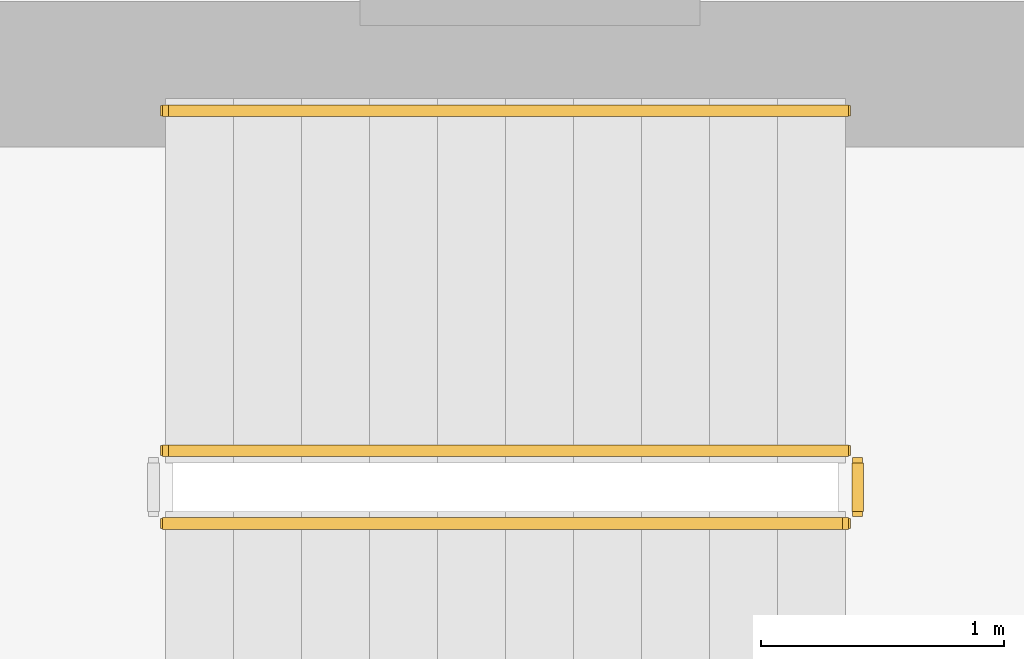
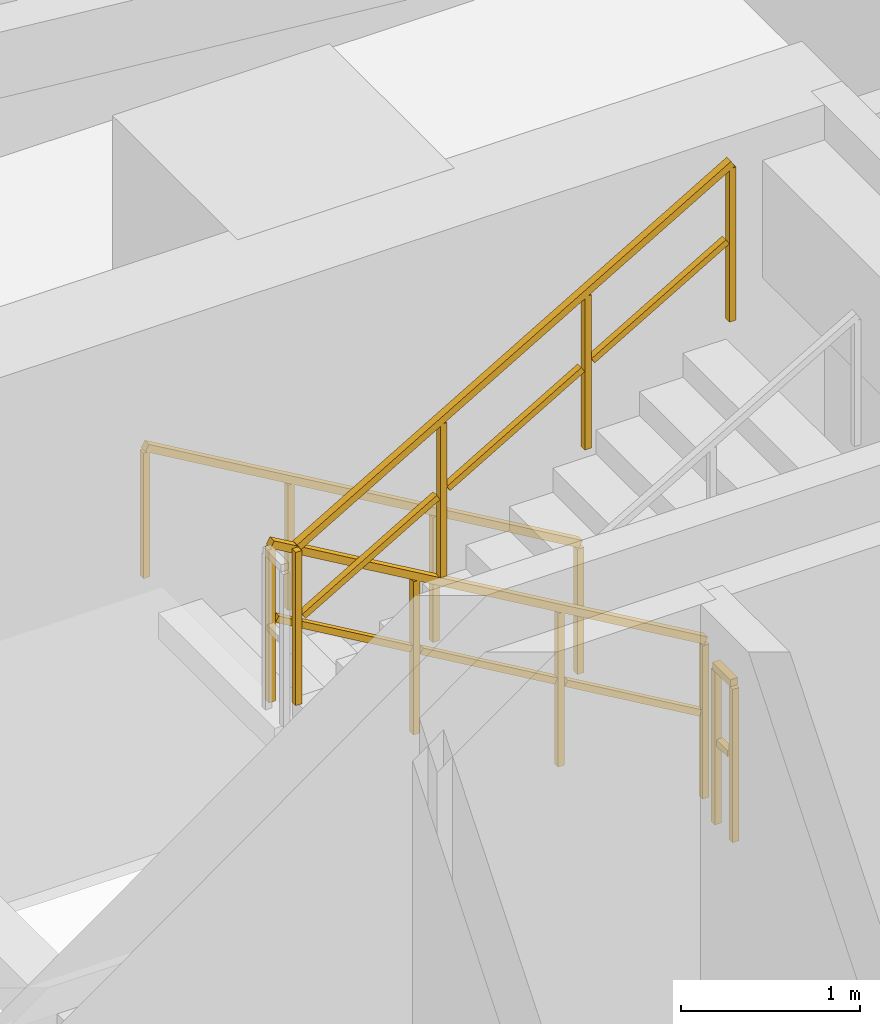
# One storey, part 33 of 35: 4 railings.
"""IFC4 building model written with IfcOpenShell, lengths in metres."""

from ifc_helpers import new_model, si_unit, direction, frame, origin, origin_2d, place, context, subcontext, project, spatial, rectangle, extrude, material, type_object, element, save


model = new_model("IFC4")

# Units and contexts
model_context = context("Model", 3, precision=1e-05, world=origin(), true_north=direction((0.0, 1.0)))
body_context = subcontext(model_context, "Body", "Model", "MODEL_VIEW")
ifc_project = project(units=[si_unit("LENGTHUNIT", "METRE"), si_unit("AREAUNIT", "SQUARE_METRE"), si_unit("VOLUMEUNIT", "CUBIC_METRE"), si_unit("PLANEANGLEUNIT", "RADIAN"), si_unit("MASSUNIT", "GRAM", prefix="KILO")], contexts=[model_context])

# Site, building, storey
site_placement = place(None, origin())
site = spatial("IfcSite", under=ifc_project, at=site_placement, CompositionType="ELEMENT")
building_placement = place(site_placement, origin())
building = spatial("IfcBuilding", under=site, at=building_placement, Name="Thornwick Lancets Civic Towers", CompositionType="ELEMENT")
storey_placement = place(building_placement, frame((0.0, 0.0, 64.5)))
storey = spatial("IfcBuildingStorey", under=building, at=storey_placement, Name="L16", CompositionType="ELEMENT", Elevation=64.5)

# Railings
ifc_material_1 = material(Name="Brushed stainless steel S355", Category="steel")
railing_type_1 = type_object("IfcRailingType", Name="RAIL_HANDRAIL", PredefinedType="HANDRAIL", material=ifc_material_1)
railing_1_placement = place(storey_placement, frame((31.60009765625, 38.949951171875, 0.16357421875)))
element("IfcRailing", 1, at=railing_1_placement, inside=storey, type_object=railing_type_1, Name="L16 ST-A2 stair handrail 1", PredefinedType="HANDRAIL", context=body_context, shape_type="SweptSolid", body=[
    extrude(rectangle(XDim=0.048095703125, YDim=0.048095703125, at=origin_2d()), frame((0.0, 0.0, 0.8857421875), z_axis=(-0.863360870873, 0.0, 0.504586966384), x_axis=(0.0, -1.0, 0.0)), (0.0, 0.0, 1.0), 3.2431640625),
    extrude(rectangle(XDim=0.0419921875, YDim=0.0419921875, at=origin_2d()), origin(), (0.0, 0.0, 1.0), 0.855712890625),
    extrude(rectangle(XDim=0.0419921875, YDim=0.0419921875, at=origin_2d()), frame((-0.933349609375, 0.0, 0.54541015625)), (0.0, 0.0, 1.0), 0.855712890625),
    extrude(rectangle(XDim=0.0419921875, YDim=0.0419921875, at=origin_2d()), frame((-1.86669921875, 0.0, 1.091064453125)), (0.0, 0.0, 1.0), 0.855712890625),
    extrude(rectangle(XDim=0.0419921875, YDim=0.0419921875, at=origin_2d()), frame((-2.800048828125, 0.0, 1.636474609375)), (0.0, 0.0, 1.0), 0.855712890625),
])
ifc_material_2 = material(Name="Steel S355JR", Category="steel")
railing_type_2 = type_object("IfcRailingType", Name="RAIL_STAIR_GUARD", PredefinedType="GUARDRAIL", material=ifc_material_2)
railing_2_placement = place(storey_placement, frame((31.60009765625, 37.550048828125, 0.16357421875)))
element("IfcRailing", 2, at=railing_2_placement, inside=storey, type_object=railing_type_2, Name="L16 ST-A2 stair guard 1", PredefinedType="GUARDRAIL", context=body_context, shape_type="SweptSolid", body=[
    extrude(rectangle(XDim=0.048095703125, YDim=0.048095703125, at=origin_2d()), frame((0.0, 0.0, 1.076171875), z_axis=(-0.863360870873, 0.0, 0.504586966384), x_axis=(0.0, -1.0, 0.0)), (0.0, 0.0, 1.0), 3.2431640625),
    extrude(rectangle(XDim=0.0419921875, YDim=0.0419921875, at=origin_2d()), frame((-0.032470703125, 0.0, 0.591064453125), z_axis=(-0.863360870873, 0.0, 0.504586966384), x_axis=(0.0, -1.0, 0.0)), (0.0, 0.0, 1.0), 1.006103515625),
    extrude(rectangle(XDim=0.0419921875, YDim=0.0419921875, at=origin_2d()), frame((-0.9658203125, 0.0, 1.136474609375), z_axis=(-0.863360870873, 0.0, 0.504586966384), x_axis=(0.0, -1.0, 0.0)), (0.0, 0.0, 1.0), 1.006103515625),
    extrude(rectangle(XDim=0.0419921875, YDim=0.0419921875, at=origin_2d()), frame((-1.899169921875, 0.0, 1.681884765625), z_axis=(-0.863360870873, 0.0, 0.504586966384), x_axis=(0.0, -1.0, 0.0)), (0.0, 0.0, 1.0), 1.006103515625),
    extrude(rectangle(XDim=0.0419921875, YDim=0.0419921875, at=origin_2d()), origin(), (0.0, 0.0, 1.0), 1.0458984375),
    extrude(rectangle(XDim=0.0419921875, YDim=0.0419921875, at=origin_2d()), frame((-0.933349609375, 0.0, 0.54541015625)), (0.0, 0.0, 1.0), 1.0458984375),
    extrude(rectangle(XDim=0.0419921875, YDim=0.0419921875, at=origin_2d()), frame((-1.86669921875, 0.0, 1.091064453125)), (0.0, 0.0, 1.0), 1.0458984375),
    extrude(rectangle(XDim=0.0419921875, YDim=0.0419921875, at=origin_2d()), frame((-2.800048828125, 0.0, 1.636474609375)), (0.0, 0.0, 1.0), 1.0458984375),
])
railing_3_placement = place(storey_placement, frame((28.800048828125, 37.25, 1.963623046875)))
element("IfcRailing", 3, at=railing_3_placement, inside=storey, type_object=railing_type_2, Name="L16 ST-A2 stair guard 3", PredefinedType="GUARDRAIL", context=body_context, shape_type="SweptSolid", body=[
    extrude(rectangle(XDim=0.048095703125, YDim=0.048095703125, at=origin_2d()), frame((0.0, 0.0, 1.076171875), z_axis=(0.863360870873, 0.0, 0.504586966384), x_axis=(0.0, 1.0, 0.0)), (0.0, 0.0, 1.0), 3.2431640625),
    extrude(rectangle(XDim=0.0419921875, YDim=0.0419921875, at=origin_2d()), frame((0.032470703125, 0.0, 0.591064453125), z_axis=(0.863360870873, 0.0, 0.504586966384), x_axis=(0.0, 1.0, 0.0)), (0.0, 0.0, 1.0), 1.006103515625),
    extrude(rectangle(XDim=0.0419921875, YDim=0.0419921875, at=origin_2d()), frame((0.9658203125, 0.0, 1.136474609375), z_axis=(0.863360870873, 0.0, 0.504586966384), x_axis=(0.0, 1.0, 0.0)), (0.0, 0.0, 1.0), 1.006103515625),
    extrude(rectangle(XDim=0.0419921875, YDim=0.0419921875, at=origin_2d()), frame((1.899169921875, 0.0, 1.681884765625), z_axis=(0.863360870873, 0.0, 0.504586966384), x_axis=(0.0, 1.0, 0.0)), (0.0, 0.0, 1.0), 1.006103515625),
    extrude(rectangle(XDim=0.0419921875, YDim=0.0419921875, at=origin_2d()), origin(), (0.0, 0.0, 1.0), 1.0458984375),
    extrude(rectangle(XDim=0.0419921875, YDim=0.0419921875, at=origin_2d()), frame((0.933349609375, 0.0, 0.54541015625)), (0.0, 0.0, 1.0), 1.0458984375),
    extrude(rectangle(XDim=0.0419921875, YDim=0.0419921875, at=origin_2d()), frame((1.86669921875, 0.0, 1.091064453125)), (0.0, 0.0, 1.0), 1.0458984375),
    extrude(rectangle(XDim=0.0419921875, YDim=0.0419921875, at=origin_2d()), frame((2.800048828125, 0.0, 1.636474609375)), (0.0, 0.0, 1.0), 1.0458984375),
])
railing_4_placement = place(storey_placement, frame((31.64990234375, 37.5, 0.0)))
element("IfcRailing", 4, at=railing_4_placement, inside=storey, type_object=railing_type_2, Name="L16 ST-A2 stair guard 4", PredefinedType="GUARDRAIL", context=body_context, shape_type="SweptSolid", body=[
    extrude(rectangle(XDim=0.048095703125, YDim=0.048095703125, at=origin_2d()), frame((0.0, 0.0, 1.076171875), z_axis=(0.0, -1.0, 0.0), x_axis=(1.0, 0.0, 0.0)), (0.0, 0.0, 1.0), 0.199951171875),
    extrude(rectangle(XDim=0.0419921875, YDim=0.0419921875, at=origin_2d()), frame((0.0, -0.03759765625, 0.572021484375), z_axis=(0.0, -1.0, 0.0), x_axis=(1.0, 0.0, 0.0)), (0.0, 0.0, 1.0), 0.125),
    extrude(rectangle(XDim=0.0419921875, YDim=0.0419921875, at=origin_2d()), origin(), (0.0, 0.0, 1.0), 1.0458984375),
    extrude(rectangle(XDim=0.0419921875, YDim=0.0419921875, at=origin_2d()), frame((0.0, -0.199951171875, 0.0)), (0.0, 0.0, 1.0), 1.0458984375),
])

save(model, "model.ifc")
